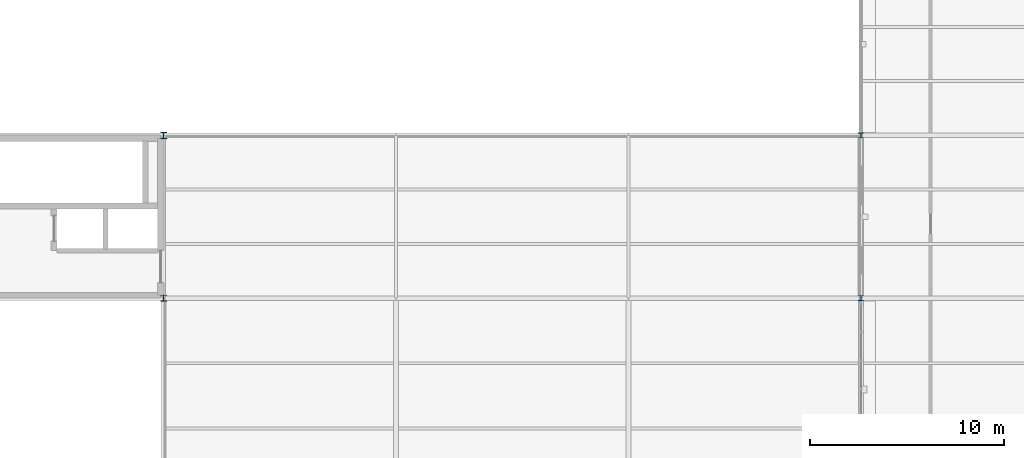
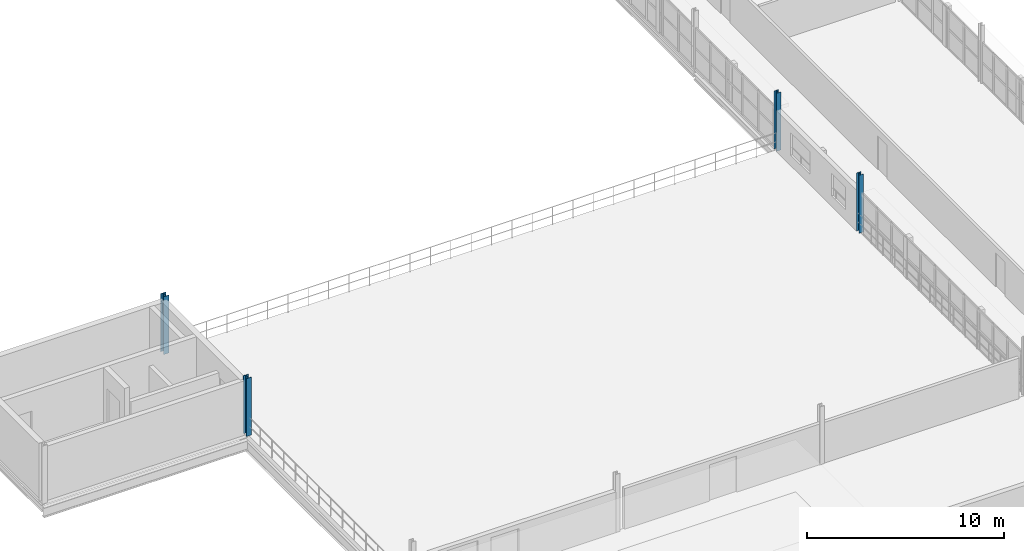
# One storey, part 15 of 74: 4 columns.
"""IFC4 building model written with IfcOpenShell, lengths in metres."""

from ifc_helpers import new_model, si_unit, direction, frame, origin, origin_2d, place, context, subcontext, project, spatial, i_section, extrude, material, material_profile, profile_set, type_object, element, save


model = new_model("IFC4")

# Units and contexts
model_context = context("Model", 3, precision=1e-05, world=origin(), true_north=direction((0.0, 1.0)))
body_context = subcontext(model_context, "Body", "Model", "MODEL_VIEW")
ifc_project = project(units=[si_unit("LENGTHUNIT", "METRE"), si_unit("AREAUNIT", "SQUARE_METRE"), si_unit("VOLUMEUNIT", "CUBIC_METRE"), si_unit("PLANEANGLEUNIT", "RADIAN"), si_unit("MASSUNIT", "GRAM", prefix="KILO"), si_unit("THERMODYNAMICTEMPERATUREUNIT", "KELVIN"), si_unit("POWERUNIT", "WATT")], contexts=[model_context])

# Site, building, storey
site_placement = place(None, origin())
site = spatial("IfcSite", under=ifc_project, at=site_placement, CompositionType="ELEMENT")
building_placement = place(site_placement, origin())
building = spatial("IfcBuilding", under=site, at=building_placement, Name="Tembeka Court Mobility Hub", CompositionType="ELEMENT")
storey_placement = place(building_placement, frame((0.0, 0.0, 12.60009765625)))
storey = spatial("IfcBuildingStorey", under=building, at=storey_placement, Name="L03", CompositionType="ELEMENT", Elevation=12.60009765625)

# Columns
ifc_material = material(Name="Steel S355", Category="steel")
ifc_material_profile_1 = material_profile(ifc_material, i_section(OverallWidth=0.30908203125, OverallDepth=0.321044921875, WebThickness=0.013916015625, FlangeThickness=0.021728515625, FilletRadius=0.01513671875, at=origin_2d()), Name="UKC 305x305x137")
ifc_profile_set_1 = profile_set([ifc_material_profile_1], Name="Steel S355")
column_type_1 = type_object("IfcColumnType", Name="COL-C04", PredefinedType="COLUMN", material=ifc_profile_set_1)
for number, where, z_axis, x_axis, name in (
    (1, (128.39990234375, 38.39990234375, 0.0), (0.0, 0.0, 1.0), (1.0, 0.0, 0.0), "Column C04 (L03-176)"),
    (2, (128.39990234375, 46.800048828125, 0.0), (0.0, 0.0, 1.0), (1.0, 0.0, 0.0), "Column C04 (L03-177)"),
):
    element("IfcColumn", number, at=place(storey_placement, frame(where, z_axis=z_axis, x_axis=x_axis)), inside=storey, type_object=column_type_1, Name=name, PredefinedType="COLUMN", context=body_context, shape_type="SweptSolid", body=[
        extrude(i_section(OverallWidth=0.30908203125, OverallDepth=0.321044921875, WebThickness=0.013916015625, FlangeThickness=0.021728515625, FilletRadius=0.01513671875, at=origin_2d()), origin(), (0.0, 0.0, 1.0), 3.599853515625),
    ])
ifc_material_profile_2 = material_profile(ifc_material, i_section(OverallWidth=0.256103515625, OverallDepth=0.260009765625, WebThickness=0.01025390625, FlangeThickness=0.017333984375, FilletRadius=0.0126953125, at=origin_2d()), Name="UKC 254x254x89")
ifc_profile_set_2 = profile_set([ifc_material_profile_2], Name="Steel S355")
column_type_2 = type_object("IfcColumnType", Name="COL-C05", PredefinedType="COLUMN", material=ifc_profile_set_2)
for number, where, z_axis, x_axis, name in (
    (3, (164.39990234375, 38.39990234375, 0.0), (0.0, 0.0, 1.0), (1.0, 0.0, 0.0), "Column C05 (L03-223)"),
    (4, (164.39990234375, 46.800048828125, 0.0), (0.0, 0.0, 1.0), (1.0, 0.0, 0.0), "Column C05 (L03-224)"),
):
    element("IfcColumn", number, at=place(storey_placement, frame(where, z_axis=z_axis, x_axis=x_axis)), inside=storey, type_object=column_type_2, Name=name, PredefinedType="COLUMN", context=body_context, shape_type="SweptSolid", body=[
        extrude(i_section(OverallWidth=0.256103515625, OverallDepth=0.260009765625, WebThickness=0.01025390625, FlangeThickness=0.017333984375, FilletRadius=0.0126953125, at=origin_2d()), origin(), (0.0, 0.0, 1.0), 3.599853515625),
    ])

save(model, "model.ifc")
